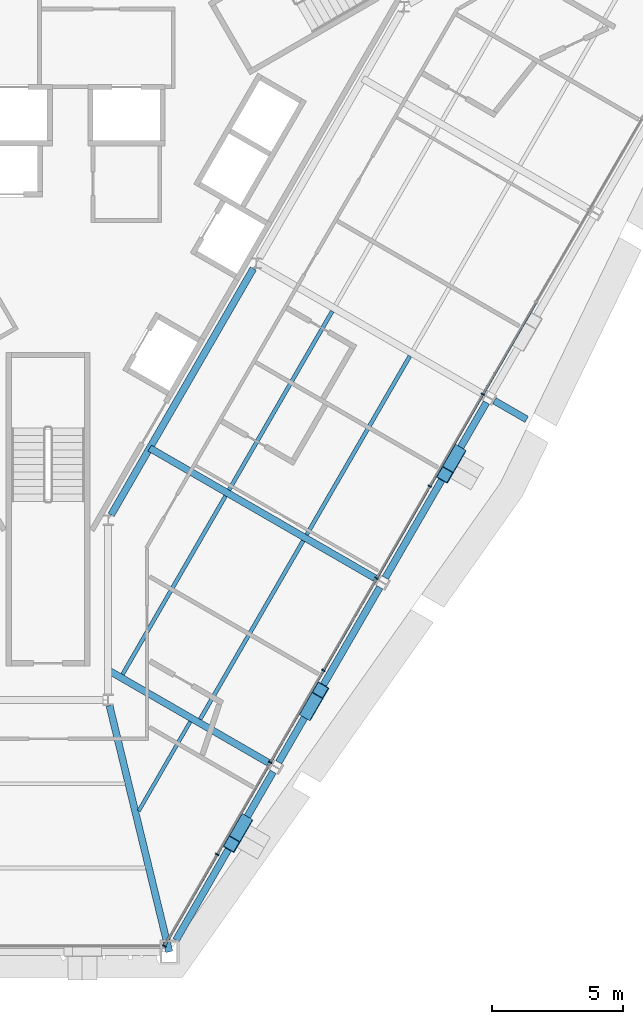
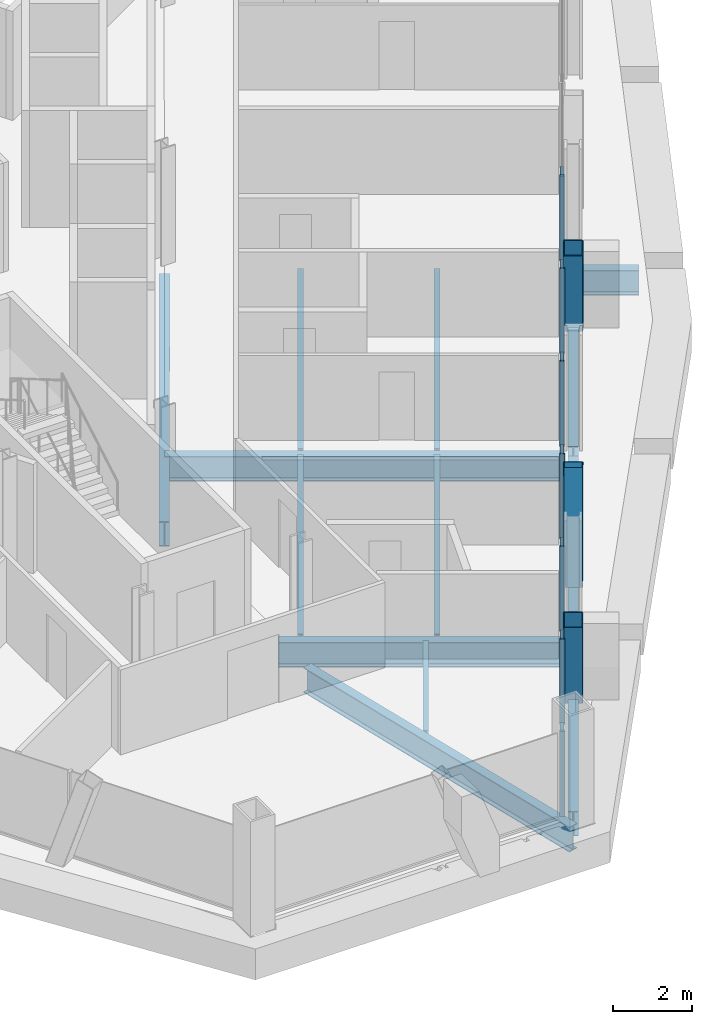
# One storey, part 5 of 19: 17 members, 13 beams, 1 element without a shape of its own.
"""IFC4 building model written with IfcOpenShell, lengths in metres."""

from ifc_helpers import new_model, si_unit, direction, frame, origin, origin_2d, place, context, subcontext, project, spatial, rectangle, hollow_rectangle, i_section, extrude, material, material_profile, profile_set, type_object, element, aggregate, save


model = new_model("IFC4")

# Units and contexts
model_context = context("Model", 3, precision=1e-05, world=origin(), true_north=direction((0.0, 1.0)))
body_context = subcontext(model_context, "Body", "Model", "MODEL_VIEW")
ifc_project = project(units=[si_unit("LENGTHUNIT", "METRE"), si_unit("AREAUNIT", "SQUARE_METRE"), si_unit("VOLUMEUNIT", "CUBIC_METRE"), si_unit("PLANEANGLEUNIT", "RADIAN"), si_unit("MASSUNIT", "GRAM", prefix="KILO")], contexts=[model_context])

# Site, building, storey
site_placement = place(None, origin())
site = spatial("IfcSite", under=ifc_project, at=site_placement, CompositionType="ELEMENT")
building_placement = place(site_placement, origin())
building = spatial("IfcBuilding", under=site, at=building_placement, Name="Verrane Prism Tower", CompositionType="ELEMENT")
storey_placement = place(building_placement, frame((0.0, 0.0, 125.199951171875)))
storey = spatial("IfcBuildingStorey", under=building, at=storey_placement, Name="L30", CompositionType="ELEMENT", Elevation=125.199951171875)

# Beams
ifc_material_1 = material(Name="Steel A992", Category="steel")
ifc_material_profile_1 = material_profile(ifc_material_1, i_section(OverallWidth=0.2666015625, OverallDepth=0.7568359375, WebThickness=0.013916015625, FlangeThickness=0.019287109375, FilletRadius=0.0166015625, at=origin_2d()), Name="W30x108")
ifc_profile_set_1 = profile_set([ifc_material_profile_1], Name="Steel A992")
beam_type_1 = type_object("IfcBeamType", Name="Core ring girder W30x108", PredefinedType="BEAM", material=ifc_profile_set_1)
beam_1_placement = place(storey_placement, frame((2.4150390625, -14.220703125, -0.62841796875), z_axis=(0.500034555306, 0.86600545235, 0.0), x_axis=(-0.86600545235, 0.500034555306, 0.0)))
element("IfcBeam", 1, at=beam_1_placement, inside=storey, type_object=beam_type_1, Name="Core ring girder L30", PredefinedType="BEAM", context=body_context, shape_type="SweptSolid", body=[
    extrude(i_section(OverallWidth=0.2666015625, OverallDepth=0.7568359375, WebThickness=0.013916015625, FlangeThickness=0.019287109375, FilletRadius=0.0166015625, at=origin_2d()), origin(), (0.0, 0.0, 1.0), 10.879150390625),
])
ifc_material_2 = material(Name="Steel A992", Category="steel")
ifc_material_profile_2 = material_profile(ifc_material_2, i_section(OverallWidth=0.2666015625, OverallDepth=0.76708984375, WebThickness=0.014892578125, FlangeThickness=0.023681640625, FilletRadius=0.0166015625, at=origin_2d()), Name="W30x124")
ifc_profile_set_2 = profile_set([ifc_material_profile_2], Name="Steel A992")
beam_type_2 = type_object("IfcBeamType", Name="Corner girder W30x124", PredefinedType="BEAM", material=ifc_profile_set_2)
beam_2_placement = place(storey_placement, frame((4.639404296875, -30.93798828125, -0.603515625), z_axis=(-0.235869588092, 0.971784717627, 0.0), x_axis=(-0.971784717627, -0.235869588092, 0.0)))
element("IfcBeam", 2, at=beam_2_placement, inside=storey, type_object=beam_type_2, Name="Corner girder L30", PredefinedType="BEAM", context=body_context, shape_type="SweptSolid", body=[
    extrude(i_section(OverallWidth=0.2666015625, OverallDepth=0.76708984375, WebThickness=0.014892578125, FlangeThickness=0.023681640625, FilletRadius=0.0166015625, at=origin_2d()), origin(), (0.0, 0.0, 1.0), 9.6943359375),
])

# Members
ifc_material_3 = material(Name="Steel A1085 Grade A", Category="steel")
ifc_material_profile_3 = material_profile(ifc_material_3, hollow_rectangle(XDim=0.508056640625, YDim=0.508056640625, WallThickness=0.025390625, InnerFilletRadius=0.0126953125, OuterFilletRadius=0.0380859375, at=origin_2d()), Name="HSS20x20x1")
ifc_profile_set_3 = profile_set([ifc_material_profile_3], Name="Steel A1085 Grade A")
member_type_1 = type_object("IfcMemberType", Name="Facade brace HSS20x20x1", PredefinedType="BRACE", material=ifc_profile_set_3)
member_1_placement = place(storey_placement, frame((7.50634765625, -25.972900390625, -0.242431640625), z_axis=(-0.154037790252, -0.266921624513, 0.951328127168), x_axis=(0.866123013327, -0.49983089719, 0.0)))
element("IfcMember", 3, at=member_1_placement, inside=storey, type_object=member_type_1, Name="Facade brace SE0 L30", PredefinedType="BRACE", context=body_context, shape_type="SweptSolid", body=[
    extrude(hollow_rectangle(XDim=0.508056640625, YDim=0.508056640625, WallThickness=0.025390625, InnerFilletRadius=0.0126953125, OuterFilletRadius=0.0380859375, at=origin_2d()), origin(), (0.0, 0.0, 1.0), 3.161865234375),
])
member_2_placement = place(storey_placement, frame((9.93359375, -21.77001953125, -0.242431640625), z_axis=(0.154053654458, 0.266563015132, 0.951426103548), x_axis=(-0.865809537846, 0.50037370452, 0.0)))
element("IfcMember", 4, at=member_2_placement, inside=storey, type_object=member_type_1, Name="Facade brace SE1 L30", PredefinedType="BRACE", context=body_context, shape_type="SweptSolid", body=[
    extrude(hollow_rectangle(XDim=0.508056640625, YDim=0.508056640625, WallThickness=0.025390625, InnerFilletRadius=0.0126953125, OuterFilletRadius=0.0380859375, at=origin_2d()), origin(), (0.0, 0.0, 1.0), 3.16162109375),
])
member_3_placement = place(storey_placement, frame((15.66650390625, -11.843017578125, -0.242431640625), z_axis=(-0.154113168776, -0.266918449127, 0.951316809862), x_axis=(0.866014543207, -0.500018810599, 0.0)))
element("IfcMember", 5, at=member_3_placement, inside=storey, type_object=member_type_1, Name="Facade brace SE2 L30", PredefinedType="BRACE", context=body_context, shape_type="SweptSolid", body=[
    extrude(hollow_rectangle(XDim=0.508056640625, YDim=0.508056640625, WallThickness=0.025390625, InnerFilletRadius=0.0126953125, OuterFilletRadius=0.0380859375, at=origin_2d()), origin(), (0.0, 0.0, 1.0), 3.162109375),
])

# Beams
ifc_material_4 = material(Name="Steel A992", Category="steel")
ifc_material_profile_4 = material_profile(ifc_material_4, i_section(OverallWidth=0.140380859375, OverallDepth=0.40380859375, WebThickness=0.007080078125, FlangeThickness=0.01123046875, FilletRadius=0.01025390625, at=origin_2d()), Name="W16x31")
ifc_profile_set_4 = profile_set([ifc_material_profile_4], Name="Steel A992")
beam_type_3 = type_object("IfcBeamType", Name="Floor beam W16x31", PredefinedType="BEAM", material=ifc_profile_set_4)
beam_3_placement = place(storey_placement, frame((3.46923828125, -25.55126953125, -0.36181640625), z_axis=(0.499995367196, 0.866028078518, 0.0), x_axis=(-0.866028078518, 0.499995367196, 0.0)))
element("IfcBeam", 6, at=beam_3_placement, inside=storey, type_object=beam_type_3, Name="Floor beam L30", PredefinedType="BEAM", context=body_context, shape_type="SweptSolid", body=[
    extrude(i_section(OverallWidth=0.140380859375, OverallDepth=0.40380859375, WebThickness=0.007080078125, FlangeThickness=0.01123046875, FilletRadius=0.01025390625, at=origin_2d()), origin(), (0.0, 0.0, 1.0), 3.94921875),
])
ifc_material_5 = material(Name="Steel A992", Category="steel")
ifc_material_profile_5 = material_profile(ifc_material_5, i_section(OverallWidth=0.15234375, OverallDepth=0.449462890625, WebThickness=0.007568359375, FlangeThickness=0.0107421875, FilletRadius=0.01025390625, at=origin_2d()), Name="W18x35")
ifc_profile_set_5 = profile_set([ifc_material_profile_5], Name="Steel A992")
beam_type_4 = type_object("IfcBeamType", Name="Floor beam W18x35", PredefinedType="BEAM", material=ifc_profile_set_5)
beam_4_placement = place(storey_placement, frame((5.8203125, -22.040283203125, -0.384765625), z_axis=(0.500002097505, 0.866024192786, 0.0), x_axis=(-0.866024192786, 0.500002097505, 0.0)))
element("IfcBeam", 7, at=beam_4_placement, inside=storey, type_object=beam_type_4, Name="Floor beam L30", PredefinedType="BEAM", context=body_context, shape_type="SweptSolid", body=[
    extrude(i_section(OverallWidth=0.15234375, OverallDepth=0.449462890625, WebThickness=0.007568359375, FlangeThickness=0.0107421875, FilletRadius=0.01025390625, at=origin_2d()), origin(), (0.0, 0.0, 1.0), 7.884765625),
])
beam_5_placement = place(storey_placement, frame((2.85107421875, -20.32421875, -0.384765625), z_axis=(0.499996836462, 0.866027230246, 0.0), x_axis=(-0.866027230246, 0.499996836462, 0.0)))
element("IfcBeam", 8, at=beam_5_placement, inside=storey, type_object=beam_type_4, Name="Floor beam L30", PredefinedType="BEAM", context=body_context, shape_type="SweptSolid", body=[
    extrude(i_section(OverallWidth=0.15234375, OverallDepth=0.449462890625, WebThickness=0.007568359375, FlangeThickness=0.0107421875, FilletRadius=0.01025390625, at=origin_2d()), origin(), (0.0, 0.0, 1.0), 7.8818359375),
])
for number, where, z_axis, x_axis, name in (
    (9, (9.896240234375, -14.980712890625, -0.384765625), (0.500013303288, 0.866017722991, 0.0), (-0.866017722991, 0.500013303288, 0.0), "Floor beam L30"),
    (10, (6.92578125, -13.26708984375, -0.384765625), (0.500013303288, 0.866017722991, 0.0), (-0.866017722991, 0.500013303288, 0.0), "Floor beam L30"),
):
    element("IfcBeam", number, at=place(storey_placement, frame(where, z_axis=z_axis, x_axis=x_axis)), inside=storey, type_object=beam_type_4, Name=name, PredefinedType="BEAM", context=body_context, shape_type="SweptSolid", body=[
        extrude(i_section(OverallWidth=0.15234375, OverallDepth=0.449462890625, WebThickness=0.007568359375, FlangeThickness=0.0107421875, FilletRadius=0.01025390625, at=origin_2d()), origin(), (0.0, 0.0, 1.0), 7.895751953125),
    ])

# Curtain wall, members
ifc_material_6 = material(Name="Aluminium framed insulated glazing", Category="aluminium")
curtain_wall_type = type_object("IfcCurtainWallType", Name="Curtain wall CW-C 4200 module", PredefinedType="NOTDEFINED", material=ifc_material_6)
curtain_wall_placement = place(storey_placement, origin())
curtain_wall = element("IfcCurtainWall", 11, at=curtain_wall_placement, inside=storey, type_object=curtain_wall_type, Name="Glazed curtain wall south-east face L30", PredefinedType="NOTDEFINED")
ifc_material_7 = material(Name="Aluminium alloy 6063-T6", Category="aluminium")
ifc_material_profile_6 = material_profile(ifc_material_7, rectangle(XDim=0.139892578125, YDim=0.050048828125, at=origin_2d()), Name="Mullion 50x140 aluminium")
ifc_profile_set_6 = profile_set([ifc_material_profile_6], Name="Aluminium alloy 6063-T6")
member_type_2 = type_object("IfcMemberType", Name="Mullion 50x140 aluminium", PredefinedType="MULLION", material=ifc_profile_set_6)
member_4_placement = place(storey_placement, frame((4.450439453125, -30.713623046875, 0.0), z_axis=(0.0, 0.0, 1.0), x_axis=(-0.866025327793, 0.500000131621, 0.0)))
member_4 = element("IfcMember", 12, at=member_4_placement, type_object=member_type_2, Name="CW29.6 mullion 1", PredefinedType="MULLION", context=body_context, shape_type="SweptSolid", body=[
    extrude(rectangle(XDim=0.139892578125, YDim=0.050048828125, at=origin_2d()), origin(), (0.0, 0.0, 1.0), 2.613037109375),
])
member_5_placement = place(storey_placement, frame((6.47119140625, -27.213623046875, 0.0), z_axis=(0.0, 0.0, 1.0), x_axis=(-0.866025327793, 0.500000131621, 0.0)))
member_5 = element("IfcMember", 13, at=member_5_placement, type_object=member_type_2, Name="CW29.6 mullion 2", PredefinedType="MULLION", context=body_context, shape_type="SweptSolid", body=[
    extrude(rectangle(XDim=0.139892578125, YDim=0.050048828125, at=origin_2d()), origin(), (0.0, 0.0, 1.0), 2.613037109375),
])
member_6_placement = place(storey_placement, frame((8.50439453125, -23.692138671875, 0.0), z_axis=(0.0, 0.0, 1.0), x_axis=(-0.866025327793, 0.500000131621, 0.0)))
member_6 = element("IfcMember", 14, at=member_6_placement, type_object=member_type_2, Name="CW29.6 mullion 3", PredefinedType="MULLION", context=body_context, shape_type="SweptSolid", body=[
    extrude(rectangle(XDim=0.139892578125, YDim=0.050048828125, at=origin_2d()), origin(), (0.0, 0.0, 1.0), 2.613037109375),
])
member_7_placement = place(storey_placement, frame((10.53759765625, -20.17041015625, 0.0), z_axis=(0.0, 0.0, 1.0), x_axis=(-0.866025327793, 0.500000131621, 0.0)))
member_7 = element("IfcMember", 15, at=member_7_placement, type_object=member_type_2, Name="CW29.6 mullion 4", PredefinedType="MULLION", context=body_context, shape_type="SweptSolid", body=[
    extrude(rectangle(XDim=0.139892578125, YDim=0.050048828125, at=origin_2d()), origin(), (0.0, 0.0, 1.0), 2.613037109375),
])
member_8_placement = place(storey_placement, frame((12.57080078125, -16.648681640625, 0.0), z_axis=(0.0, 0.0, 1.0), x_axis=(-0.866025327793, 0.500000131621, 0.0)))
member_8 = element("IfcMember", 16, at=member_8_placement, type_object=member_type_2, Name="CW29.6 mullion 5", PredefinedType="MULLION", context=body_context, shape_type="SweptSolid", body=[
    extrude(rectangle(XDim=0.139892578125, YDim=0.050048828125, at=origin_2d()), origin(), (0.0, 0.0, 1.0), 2.613037109375),
])
member_9_placement = place(storey_placement, frame((14.60400390625, -13.127197265625, 0.0), z_axis=(0.0, 0.0, 1.0), x_axis=(-0.866025327793, 0.500000131621, 0.0)))
member_9 = element("IfcMember", 17, at=member_9_placement, type_object=member_type_2, Name="CW29.6 mullion 6", PredefinedType="MULLION", context=body_context, shape_type="SweptSolid", body=[
    extrude(rectangle(XDim=0.139892578125, YDim=0.050048828125, at=origin_2d()), origin(), (0.0, 0.0, 1.0), 2.613037109375),
])
member_10_placement = place(storey_placement, frame((16.63720703125, -9.60546875, 0.0), z_axis=(0.0, 0.0, 1.0), x_axis=(-0.866025327793, 0.500000131621, 0.0)))
member_10 = element("IfcMember", 18, at=member_10_placement, type_object=member_type_2, Name="CW29.6 mullion 7", PredefinedType="MULLION", context=body_context, shape_type="SweptSolid", body=[
    extrude(rectangle(XDim=0.139892578125, YDim=0.050048828125, at=origin_2d()), origin(), (0.0, 0.0, 1.0), 2.613037109375),
])

# Beams
ifc_material_8 = material(Name="Steel A992", Category="steel")
ifc_material_profile_7 = material_profile(ifc_material_8, i_section(OverallWidth=0.2666015625, OverallDepth=0.76708984375, WebThickness=0.014892578125, FlangeThickness=0.023681640625, FilletRadius=0.0166015625, at=origin_2d()), Name="W30x124")
ifc_profile_set_7 = profile_set([ifc_material_profile_7], Name="Steel A992")
beam_type_5 = type_object("IfcBeamType", Name="Radial girder W30x124", PredefinedType="BEAM", material=ifc_profile_set_7)
beam_6_placement = place(storey_placement, frame((8.523193359375, -23.75634765625, -0.603515625), z_axis=(-0.866020377705, 0.500008705323, 0.0), x_axis=(-0.500008705323, -0.866020377705, 0.0)))
element("IfcBeam", 19, at=beam_6_placement, inside=storey, type_object=beam_type_5, Name="Radial girder L30", PredefinedType="BEAM", context=body_context, shape_type="SweptSolid", body=[
    extrude(i_section(OverallWidth=0.2666015625, OverallDepth=0.76708984375, WebThickness=0.014892578125, FlangeThickness=0.023681640625, FilletRadius=0.0166015625, at=origin_2d()), origin(), (0.0, 0.0, 1.0), 7.185791015625),
])
beam_7_placement = place(storey_placement, frame((12.60302734375, -16.6962890625, -0.603515625), z_axis=(-0.866030409726, 0.499991329354, 0.0), x_axis=(-0.499991329354, -0.866030409726, 0.0)))
element("IfcBeam", 20, at=beam_7_placement, inside=storey, type_object=beam_type_5, Name="Radial girder L30", PredefinedType="BEAM", context=body_context, shape_type="SweptSolid", body=[
    extrude(i_section(OverallWidth=0.2666015625, OverallDepth=0.76708984375, WebThickness=0.014892578125, FlangeThickness=0.023681640625, FilletRadius=0.0166015625, at=origin_2d()), origin(), (0.0, 0.0, 1.0), 10.060791015625),
])
beam_8_placement = place(storey_placement, frame((17.073486328125, -9.851806640625, -0.603515625), z_axis=(0.866083347907, -0.499899624403, 0.0), x_axis=(0.499899624403, 0.866083347907, 0.0)))
element("IfcBeam", 21, at=beam_8_placement, inside=storey, type_object=beam_type_5, Name="Cantilever girder L30", PredefinedType="BEAM", context=body_context, shape_type="SweptSolid", body=[
    extrude(i_section(OverallWidth=0.2666015625, OverallDepth=0.76708984375, WebThickness=0.014892578125, FlangeThickness=0.023681640625, FilletRadius=0.0166015625, at=origin_2d()), origin(), (0.0, 0.0, 1.0), 1.431396484375),
])
ifc_material_9 = material(Name="Steel A992", Category="steel")
ifc_material_profile_8 = material_profile(ifc_material_9, i_section(OverallWidth=0.2666015625, OverallDepth=0.7568359375, WebThickness=0.013916015625, FlangeThickness=0.019287109375, FilletRadius=0.0166015625, at=origin_2d()), Name="W30x108")
ifc_profile_set_8 = profile_set([ifc_material_profile_8], Name="Steel A992")
beam_type_6 = type_object("IfcBeamType", Name="Spandrel beam W30x108", PredefinedType="SPANDREL", material=ifc_profile_set_8)
beam_9_placement = place(storey_placement, frame((4.899658203125, -30.489990234375, -0.538330078125), z_axis=(0.499830490961, 0.866123247757, 0.0), x_axis=(-0.866123247757, 0.499830490961, 0.0)))
element("IfcBeam", 22, at=beam_9_placement, inside=storey, type_object=beam_type_6, Name="Spandrel beam L30", PredefinedType="SPANDREL", context=body_context, shape_type="SweptSolid", body=[
    extrude(i_section(OverallWidth=0.2666015625, OverallDepth=0.7568359375, WebThickness=0.013916015625, FlangeThickness=0.019287109375, FilletRadius=0.0166015625, at=origin_2d()), origin(), (0.0, 0.0, 1.0), 7.43359375),
])
beam_10_placement = place(storey_placement, frame((8.824951171875, -23.688720703125, -0.538330078125), z_axis=(0.500334388905, 0.865832258165, 0.0), x_axis=(-0.865832258165, 0.500334388905, 0.0)))
element("IfcBeam", 23, at=beam_10_placement, inside=storey, type_object=beam_type_6, Name="Spandrel beam L30", PredefinedType="SPANDREL", context=body_context, shape_type="SweptSolid", body=[
    extrude(i_section(OverallWidth=0.2666015625, OverallDepth=0.7568359375, WebThickness=0.013916015625, FlangeThickness=0.019287109375, FilletRadius=0.0166015625, at=origin_2d()), origin(), (0.0, 0.0, 1.0), 7.735107421875),
])
beam_11_placement = place(storey_placement, frame((12.90478515625, -16.62841796875, -0.538330078125), z_axis=(0.499835262026, 0.866120494409, 0.0), x_axis=(-0.866120494409, 0.499835262026, 0.0)))
element("IfcBeam", 24, at=beam_11_placement, inside=storey, type_object=beam_type_6, Name="Spandrel beam L30", PredefinedType="SPANDREL", context=body_context, shape_type="SweptSolid", body=[
    extrude(i_section(OverallWidth=0.2666015625, OverallDepth=0.7568359375, WebThickness=0.013916015625, FlangeThickness=0.019287109375, FilletRadius=0.0166015625, at=origin_2d()), origin(), (0.0, 0.0, 1.0), 7.74365234375),
])

# Member
ifc_material_10 = material(Name="Aluminium alloy 6063-T6", Category="aluminium")
ifc_material_profile_9 = material_profile(ifc_material_10, rectangle(XDim=0.10009765625, YDim=0.050048828125, at=origin_2d()), Name="Transom 50x100 aluminium")
ifc_profile_set_9 = profile_set([ifc_material_profile_9], Name="Aluminium alloy 6063-T6")
member_type_3 = type_object("IfcMemberType", Name="Transom 50x100 aluminium", PredefinedType="USERDEFINED", material=ifc_profile_set_9)
member_11_placement = place(storey_placement, frame((4.462890625, -30.69189453125, 0.025146484375), z_axis=(0.499994260308, 0.866028717572, 0.0), x_axis=(-0.866028717572, 0.499994260308, 0.0)))
member_11 = element("IfcMember", 25, at=member_11_placement, type_object=member_type_3, Name="CW29.6 transom 1", ObjectType="TRANSOM", PredefinedType="USERDEFINED", context=body_context, shape_type="SweptSolid", body=[
    extrude(rectangle(XDim=0.10009765625, YDim=0.050048828125, at=origin_2d()), origin(), (0.0, 0.0, 1.0), 3.9912109375),
])

member_12_placement = place(storey_placement, frame((6.483642578125, -27.19189453125, 0.025146484375), z_axis=(0.500022371132, 0.86601248742, 0.0), x_axis=(-0.86601248742, 0.500022371132, 0.0)))
member_12 = element("IfcMember", 26, at=member_12_placement, type_object=member_type_3, Name="CW29.6 transom 2", ObjectType="TRANSOM", PredefinedType="USERDEFINED", context=body_context, shape_type="SweptSolid", body=[
    extrude(rectangle(XDim=0.10009765625, YDim=0.050048828125, at=origin_2d()), origin(), (0.0, 0.0, 1.0), 4.016357421875),
])

member_13_placement = place(storey_placement, frame((8.516845703125, -23.67041015625, 0.025146484375), z_axis=(0.500022371132, 0.86601248742, 0.0), x_axis=(-0.86601248742, 0.500022371132, 0.0)))
member_13 = element("IfcMember", 27, at=member_13_placement, type_object=member_type_3, Name="CW29.6 transom 3", ObjectType="TRANSOM", PredefinedType="USERDEFINED", context=body_context, shape_type="SweptSolid", body=[
    extrude(rectangle(XDim=0.10009765625, YDim=0.050048828125, at=origin_2d()), origin(), (0.0, 0.0, 1.0), 4.016357421875),
])

member_14_placement = place(storey_placement, frame((10.550048828125, -20.148681640625, 0.025146484375), z_axis=(0.500022371132, 0.86601248742, 0.0), x_axis=(-0.86601248742, 0.500022371132, 0.0)))
member_14 = element("IfcMember", 28, at=member_14_placement, type_object=member_type_3, Name="CW29.6 transom 4", ObjectType="TRANSOM", PredefinedType="USERDEFINED", context=body_context, shape_type="SweptSolid", body=[
    extrude(rectangle(XDim=0.10009765625, YDim=0.050048828125, at=origin_2d()), origin(), (0.0, 0.0, 1.0), 4.016357421875),
])

member_15_placement = place(storey_placement, frame((12.583251953125, -16.627197265625, 0.025146484375), z_axis=(0.499996050563, 0.866027683981, 0.0), x_axis=(-0.866027683981, 0.499996050563, 0.0)))
member_15 = element("IfcMember", 29, at=member_15_placement, type_object=member_type_3, Name="CW29.6 transom 5", ObjectType="TRANSOM", PredefinedType="USERDEFINED", context=body_context, shape_type="SweptSolid", body=[
    extrude(rectangle(XDim=0.10009765625, YDim=0.050048828125, at=origin_2d()), origin(), (0.0, 0.0, 1.0), 4.0166015625),
])

member_16_placement = place(storey_placement, frame((14.616455078125, -13.10546875, 0.025146484375), z_axis=(0.500022371132, 0.86601248742, 0.0), x_axis=(-0.86601248742, 0.500022371132, 0.0)))
member_16 = element("IfcMember", 30, at=member_16_placement, type_object=member_type_3, Name="CW29.6 transom 6", ObjectType="TRANSOM", PredefinedType="USERDEFINED", context=body_context, shape_type="SweptSolid", body=[
    extrude(rectangle(XDim=0.10009765625, YDim=0.050048828125, at=origin_2d()), origin(), (0.0, 0.0, 1.0), 4.016357421875),
])

member_17_placement = place(storey_placement, frame((16.649658203125, -9.583740234375, 0.025146484375), z_axis=(0.500022371132, 0.86601248742, 0.0), x_axis=(-0.86601248742, 0.500022371132, 0.0)))
member_17 = element("IfcMember", 31, at=member_17_placement, type_object=member_type_3, Name="CW29.6 transom 7", ObjectType="TRANSOM", PredefinedType="USERDEFINED", context=body_context, shape_type="SweptSolid", body=[
    extrude(rectangle(XDim=0.10009765625, YDim=0.050048828125, at=origin_2d()), origin(), (0.0, 0.0, 1.0), 4.016357421875),
])

aggregate(curtain_wall, [member_4, member_5, member_6, member_7, member_8, member_9, member_10, member_11, member_12, member_13, member_14, member_15, member_16, member_17])

save(model, "model.ifc")
